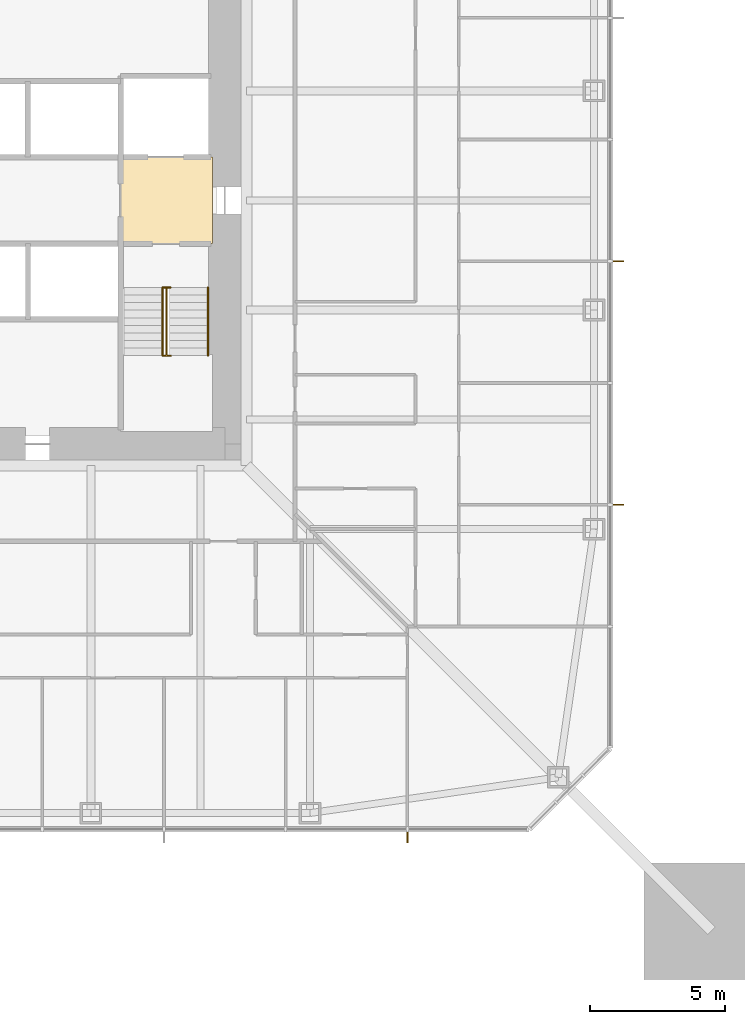
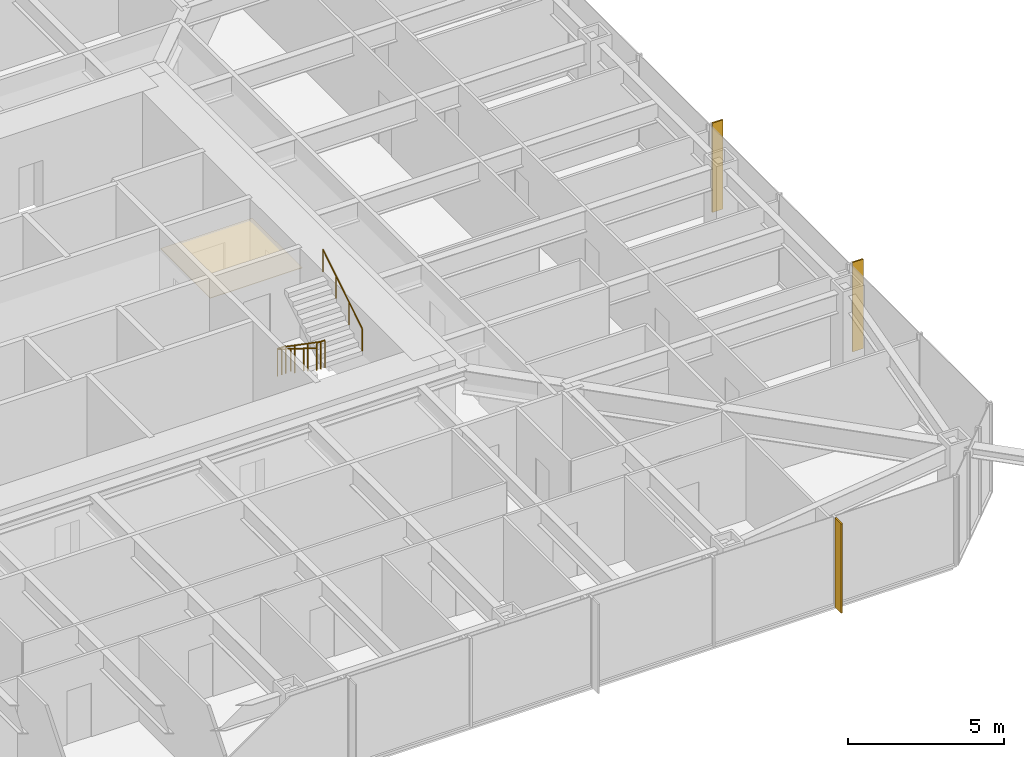
# One storey, part 24 of 26: 3 railings, 3 shading devices, 1 covering.
"""IFC4 building model written with IfcOpenShell, lengths in metres."""

from ifc_helpers import new_model, si_unit, direction, frame, origin, origin_2d, place, context, subcontext, project, spatial, polyline, rectangle, circle, outline, extrude, material, layer, layer_set, constituent, constituent_set, type_object, element, save


model = new_model("IFC4")

# Units and contexts
model_context = context("Model", 3, precision=1e-05, world=origin(), true_north=direction((0.0, 1.0)))
body_context = subcontext(model_context, "Body", "Model", "MODEL_VIEW")
ifc_project = project(units=[si_unit("LENGTHUNIT", "METRE"), si_unit("AREAUNIT", "SQUARE_METRE"), si_unit("VOLUMEUNIT", "CUBIC_METRE"), si_unit("PLANEANGLEUNIT", "RADIAN"), si_unit("MASSUNIT", "GRAM", prefix="KILO")], contexts=[model_context])

# Site, building, storey
site_placement = place(None, origin())
site = spatial("IfcSite", under=ifc_project, at=site_placement, CompositionType="ELEMENT")
building_placement = place(site_placement, origin())
building = spatial("IfcBuilding", under=site, at=building_placement, Name="Iwan Alto Co-Living Towers", CompositionType="ELEMENT")
storey_placement = place(building_placement, frame((0.0, 0.0, 22.0)))
storey = spatial("IfcBuildingStorey", under=building, at=storey_placement, Name="L05", CompositionType="ELEMENT", Elevation=22.0)

# Covering
ifc_material_1 = material(Name="Mineral fibre acoustic tiles on steel grid", Category="steel")
ifc_layer_1 = layer(ifc_material_1, 0.02001953125)
ifc_layer_set_1 = layer_set([ifc_layer_1], Name="ACOUSTIC TILE CEILING 20")
covering_type = type_object("IfcCoveringType", Name="ACOUSTIC TILE CEILING 20", PredefinedType="CEILING", material=ifc_layer_set_1)
covering_placement = place(storey_placement, frame((0.0, 0.0, 2.60009765625)))
element("IfcCovering", 1, at=covering_placement, inside=storey, type_object=covering_type, Name="Ceiling Firefighting lobby L05", PredefinedType="CEILING", context=body_context, shape_type="SweptSolid", body=[
    extrude(outline(polyline([(5.14990234375, -1.60009765625), (5.14990234375, 1.60009765625), (8.550048828125, 1.60009765625), (8.550048828125, -1.60009765625), (5.14990234375, -1.60009765625)])), origin(), (0.0, 0.0, 1.0), 0.02001953125),
])

# Shading devices
ifc_material_2 = material(Name="Aluminium 6063-T6 bronze anodised", Category="aluminium")
ifc_layer_2 = layer(ifc_material_2, 0.050048828125)
ifc_layer_set_2 = layer_set([ifc_layer_2], Name="BRONZE FIN 50X400")
shading_device_type = type_object("IfcShadingDeviceType", Name="BRONZE FIN 50X400", PredefinedType="USERDEFINED", material=ifc_layer_set_2)
for number, where, z_axis, x_axis, name in (
    (2, (15.75, -23.550048828125, 0.0), (0.0, 0.0, 1.0), (1.0, 0.0, 0.0), "Bronze fin L05"),
    (3, (23.550048828125, -11.25, 0.0), (0.0, 0.0, 1.0), (0.0, 1.0, 0.0), "Bronze fin L05"),
    (4, (23.550048828125, -2.25, 0.0), (0.0, 0.0, 1.0), (0.0, 1.0, 0.0), "Bronze fin L05"),
):
    element("IfcShadingDevice", number, at=place(storey_placement, frame(where, z_axis=z_axis, x_axis=x_axis)), inside=storey, type_object=shading_device_type, Name=name, ObjectType="LOUVER", PredefinedType="USERDEFINED", context=body_context, shape_type="SweptSolid", body=[
        extrude(rectangle(XDim=0.050048828125, YDim=0.39990234375, at=origin_2d()), origin(), (0.0, 0.0, 1.0), 3.5),
    ])

# Railings
ifc_material_3 = material(Name="Steel ASTM A500 Gr C", Category="steel")
ifc_constituent_1 = constituent(ifc_material_3, Name="Rails and posts", Category="Framing")
ifc_material_4 = material(Name="Steel ASTM A36", Category="steel")
ifc_constituent_2 = constituent(ifc_material_4, Name="Bar infill", Category="Infill")
ifc_constituent_set = constituent_set(constituents=[ifc_constituent_1, ifc_constituent_2], Name="STAIR GUARD 1100")
railing_type_1 = type_object("IfcRailingType", Name="STAIR GUARD 1100", PredefinedType="GUARDRAIL", material=ifc_constituent_set)
railing_1_placement = place(storey_placement, frame((6.85009765625, -3.219970703125, 0.0)))
element("IfcRailing", 5, at=railing_1_placement, inside=storey, type_object=railing_type_1, Name="Stair T1-S2 well guard L05", PredefinedType="GUARDRAIL", context=body_context, shape_type="SweptSolid", body=[
    extrude(circle(Radius=0.02392578125, at=origin_2d()), frame((0.0, 0.0, 1.076171875), z_axis=(0.0, -0.821372036852, 0.570392826987), x_axis=(1.0, 0.0, 0.0)), (0.0, 0.0, 1.0), 3.068115234375),
    extrude(circle(Radius=0.02392578125, at=origin_2d()), frame((-0.150146484375, 0.0, 1.076171875), z_axis=(1.0, 0.0, 0.0), x_axis=(0.0, 1.0, 0.0)), (0.0, 0.0, 1.0), 0.300048828125),
    extrude(circle(Radius=0.02392578125, at=origin_2d()), frame((-0.150146484375, -2.52001953125, 2.826171875), z_axis=(1.0, 0.0, 0.0), x_axis=(0.0, 1.0, 0.0)), (0.0, 0.0, 1.0), 0.300048828125),
    extrude(circle(Radius=0.02099609375, at=origin_2d()), origin(), (0.0, 0.0, 1.0), 1.052001953125),
    extrude(circle(Radius=0.02099609375, at=origin_2d()), frame((0.0, -0.840087890625, 0.583251953125)), (0.0, 0.0, 1.0), 1.052001953125),
    extrude(circle(Radius=0.02099609375, at=origin_2d()), frame((0.0, -1.679931640625, 1.166748046875)), (0.0, 0.0, 1.0), 1.052001953125),
    extrude(circle(Radius=0.02099609375, at=origin_2d()), frame((0.0, -2.52001953125, 1.75)), (0.0, 0.0, 1.0), 1.052001953125),
    extrude(circle(Radius=0.02099609375, at=origin_2d()), frame((-0.150146484375, 0.0, 0.0)), (0.0, 0.0, 1.0), 1.052001953125),
    extrude(circle(Radius=0.02099609375, at=origin_2d()), frame((0.14990234375, 0.0, 0.0)), (0.0, 0.0, 1.0), 1.052001953125),
    extrude(circle(Radius=0.02099609375, at=origin_2d()), frame((-0.150146484375, -2.52001953125, 1.75)), (0.0, 0.0, 1.0), 1.052001953125),
    extrude(circle(Radius=0.02099609375, at=origin_2d()), frame((0.14990234375, -2.52001953125, 1.75)), (0.0, 0.0, 1.0), 1.052001953125),
])
ifc_material_5 = material(Name="Steel ASTM A500 Gr C", Category="steel")
railing_type_2 = type_object("IfcRailingType", Name="STAIR HANDRAIL 900", PredefinedType="HANDRAIL", material=ifc_material_5)
railing_2_placement = place(storey_placement, frame((6.699951171875, -3.219970703125, 0.175048828125)))
element("IfcRailing", 6, at=railing_2_placement, inside=storey, type_object=railing_type_2, Name="Stair T1-S2 handrail 1 L05", PredefinedType="HANDRAIL", context=body_context, shape_type="SweptSolid", body=[
    extrude(circle(Radius=0.02392578125, at=origin_2d()), frame((0.0, 0.0, 0.8759765625), z_axis=(0.0, -0.848007534815, 0.529984170421), x_axis=(1.0, 0.0, 0.0)), (0.0, 0.0, 1.0), 2.9716796875),
    extrude(circle(Radius=0.02099609375, at=origin_2d()), origin(), (0.0, 0.0, 1.0), 0.851806640625),
    extrude(circle(Radius=0.02099609375, at=origin_2d()), frame((0.0, -0.840087890625, 0.52490234375)), (0.0, 0.0, 1.0), 0.851806640625),
    extrude(circle(Radius=0.02099609375, at=origin_2d()), frame((0.0, -1.679931640625, 1.050048828125)), (0.0, 0.0, 1.0), 0.851806640625),
    extrude(circle(Radius=0.02099609375, at=origin_2d()), frame((0.0, -2.52001953125, 1.574951171875)), (0.0, 0.0, 1.0), 0.851806640625),
])
railing_3_placement = place(storey_placement, frame((8.3798828125, -5.739990234375, 1.925048828125)))
element("IfcRailing", 7, at=railing_3_placement, inside=storey, type_object=railing_type_2, Name="Stair T1-S2 handrail 2 L05", PredefinedType="HANDRAIL", context=body_context, shape_type="SweptSolid", body=[
    extrude(circle(Radius=0.02392578125, at=origin_2d()), frame((0.0, 0.0, 0.8759765625), z_axis=(0.0, 0.848007534815, 0.529984170421), x_axis=(-1.0, 0.0, 0.0)), (0.0, 0.0, 1.0), 2.9716796875),
    extrude(circle(Radius=0.02099609375, at=origin_2d()), origin(), (0.0, 0.0, 1.0), 0.851806640625),
    extrude(circle(Radius=0.02099609375, at=origin_2d()), frame((0.0, 0.840087890625, 0.52490234375)), (0.0, 0.0, 1.0), 0.851806640625),
    extrude(circle(Radius=0.02099609375, at=origin_2d()), frame((0.0, 1.679931640625, 1.050048828125)), (0.0, 0.0, 1.0), 0.851806640625),
    extrude(circle(Radius=0.02099609375, at=origin_2d()), frame((0.0, 2.52001953125, 1.574951171875)), (0.0, 0.0, 1.0), 0.851806640625),
])

save(model, "model.ifc")
